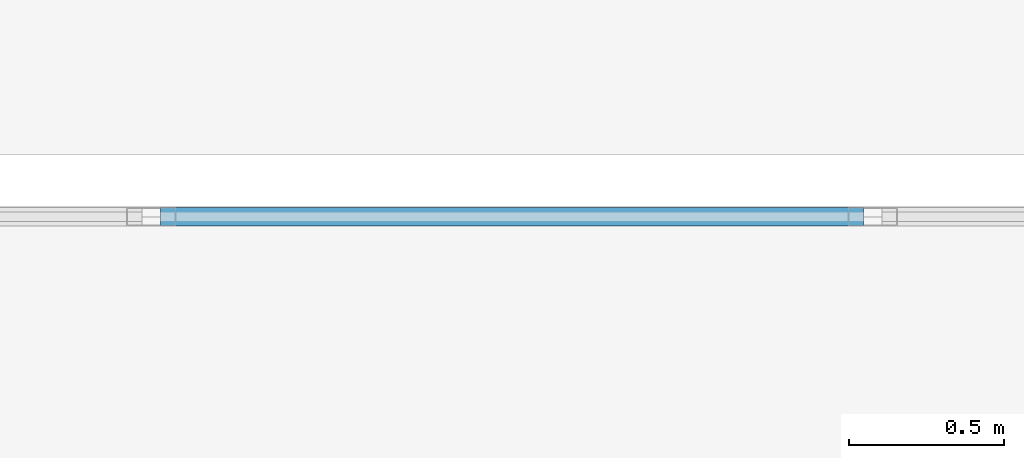
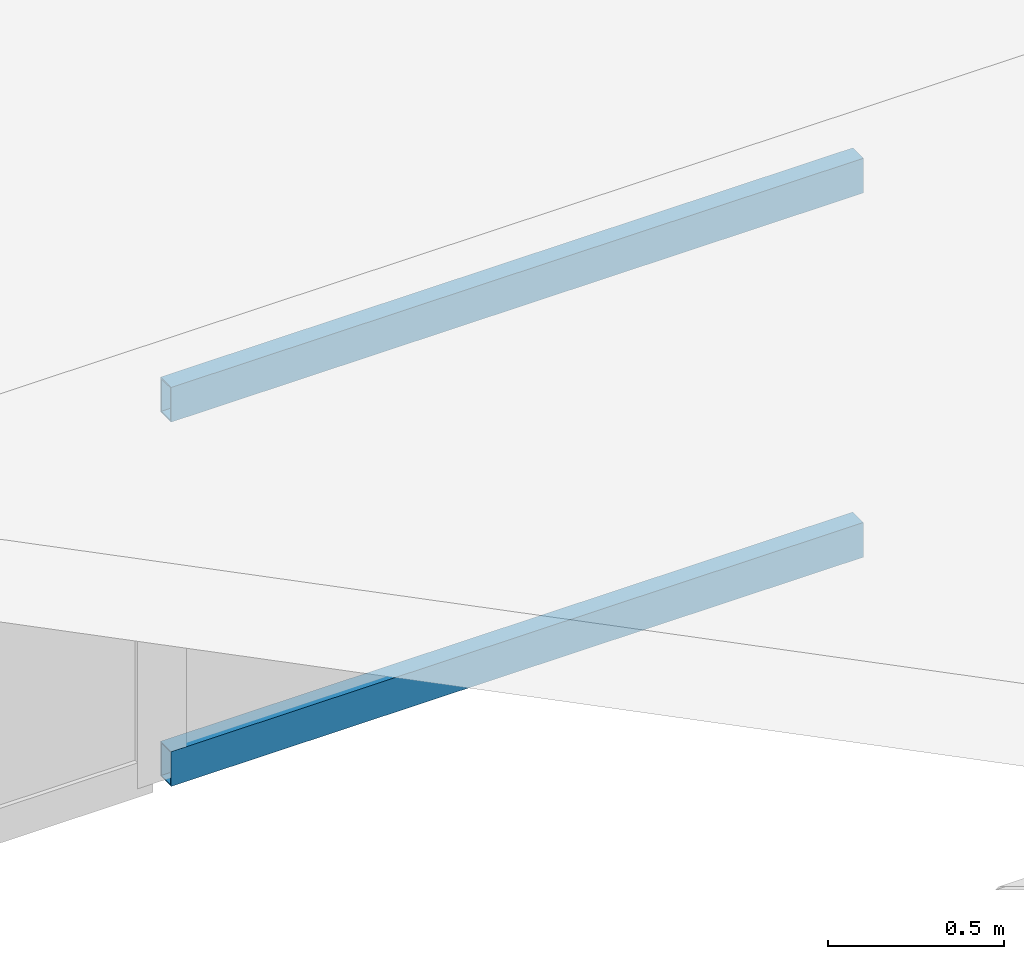
# One storey, part 20 of 114: 2 members, 1 element without a shape of its own.
"""IFC4 building model written with IfcOpenShell, lengths in metres."""

from ifc_helpers import new_model, si_unit, direction, frame, origin, origin_2d, place, context, subcontext, project, spatial, hollow_rectangle, extrude, material, layer, layer_set, material_profile, profile_set, type_object, element, aggregate, save


model = new_model("IFC4")

# Units and contexts
model_context = context("Model", 3, precision=1e-05, world=origin(), true_north=direction((0.0, 1.0)))
body_context = subcontext(model_context, "Body", "Model", "MODEL_VIEW")
ifc_project = project(units=[si_unit("LENGTHUNIT", "METRE"), si_unit("AREAUNIT", "SQUARE_METRE"), si_unit("VOLUMEUNIT", "CUBIC_METRE"), si_unit("PLANEANGLEUNIT", "RADIAN"), si_unit("MASSUNIT", "GRAM", prefix="KILO")], contexts=[model_context])

# Site, building, storey
site_placement = place(None, origin())
site = spatial("IfcSite", under=ifc_project, at=site_placement, CompositionType="ELEMENT")
building_placement = place(site_placement, origin())
building = spatial("IfcBuilding", under=site, at=building_placement, Name="Montecoro Central Library", CompositionType="ELEMENT")
storey_placement = place(building_placement, frame((0.0, 0.0, 13.260009765625)))
storey = spatial("IfcBuildingStorey", under=building, at=storey_placement, Name="L03", CompositionType="ELEMENT", Elevation=13.260009765625)

# Curtain wall, members
ifc_material_1 = material(Name="Bronze-anodised aluminium and low-E glazing", Category="aluminium")
ifc_layer = layer(ifc_material_1, 0.159912109375)
ifc_layer_set = layer_set([ifc_layer], Name="Bronze-anodised aluminium and low-E glazing")
curtain_wall_type = type_object("IfcCurtainWallType", Name="CWT-036", PredefinedType="NOTDEFINED", material=ifc_layer_set)
curtain_wall_placement = place(storey_placement, origin())
curtain_wall = element("IfcCurtainWall", 1, at=curtain_wall_placement, inside=storey, type_object=curtain_wall_type, Name="V3-ROOF-SAWCW-1", PredefinedType="NOTDEFINED")
ifc_material_2 = material(Name="Bronze-anodised aluminium", Category="aluminium")
ifc_material_profile = material_profile(ifc_material_2, hollow_rectangle(XDim=0.06005859375, YDim=0.1201171875, WallThickness=0.00390625, at=origin_2d()), Name="CWT 120x60x4.0")
ifc_profile_set = profile_set([ifc_material_profile], Name="Bronze-anodised aluminium")
member_type = type_object("IfcMemberType", Name="CWT-BRZ-60", PredefinedType="USERDEFINED", material=ifc_profile_set)
member_1_placement = place(storey_placement, frame((19.3798828125, 27.60009765625, 0.030029296875), z_axis=(1.0, 0.0, 0.0), x_axis=(0.0, 1.0, 0.0)))
member_1 = element("IfcMember", 2, at=member_1_placement, type_object=member_type, Name="CW-036 transom 7.1", ObjectType="TRANSOM", PredefinedType="USERDEFINED", context=body_context, shape_type="SweptSolid", body=[
    extrude(hollow_rectangle(XDim=0.06005859375, YDim=0.1201171875, WallThickness=0.00390625, at=origin_2d()), origin(), (0.0, 0.0, 1.0), 2.26513671875),
])
member_2_placement = place(storey_placement, frame((19.3798828125, 27.60009765625, 1.2900390625), z_axis=(1.0, 0.0, 0.0), x_axis=(0.0, 1.0, 0.0)))
member_2 = element("IfcMember", 3, at=member_2_placement, type_object=member_type, Name="CW-036 transom 7.2", ObjectType="TRANSOM", PredefinedType="USERDEFINED", context=body_context, shape_type="SweptSolid", body=[
    extrude(hollow_rectangle(XDim=0.06005859375, YDim=0.1201171875, WallThickness=0.00390625, at=origin_2d()), origin(), (0.0, 0.0, 1.0), 2.26513671875),
])
aggregate(curtain_wall, [member_1, member_2])

save(model, "model.ifc")
